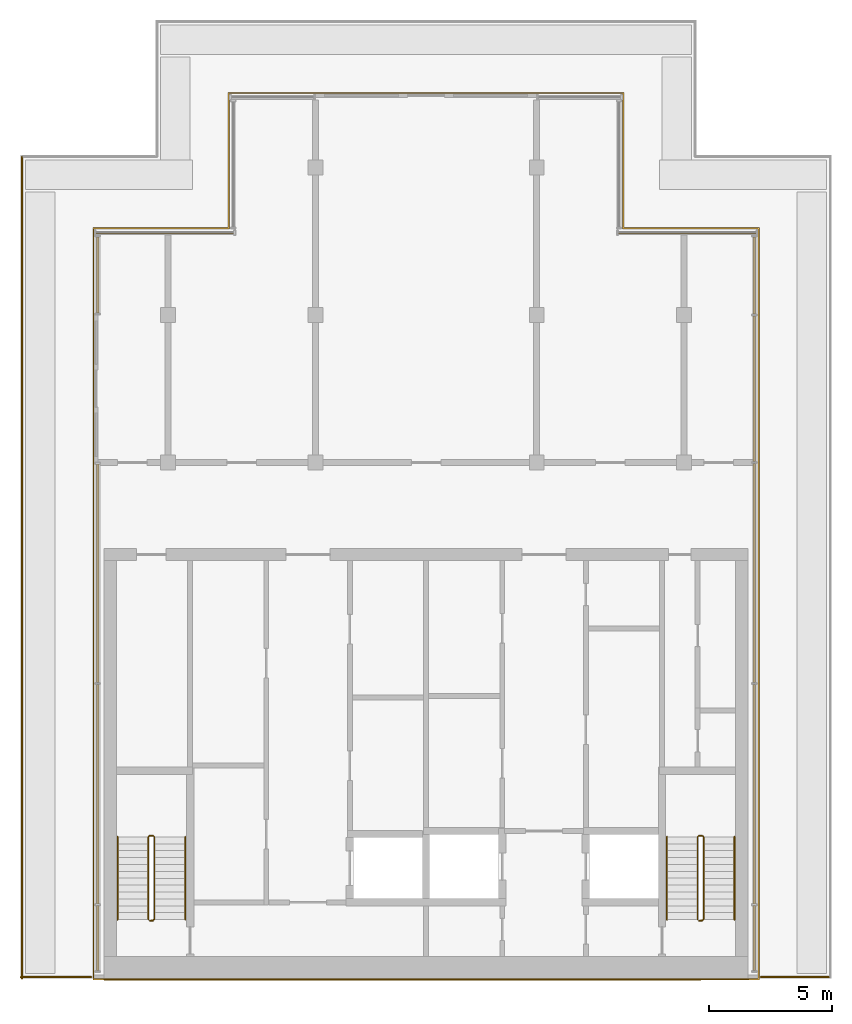
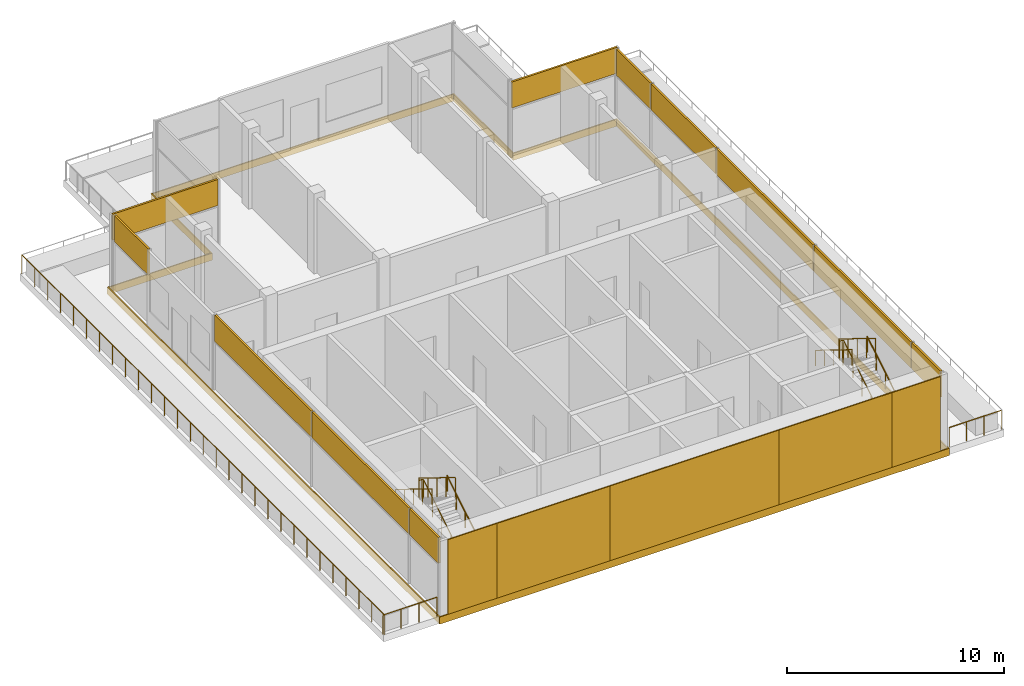
# One storey, part 5 of 6: 11 shading devices, 9 railings, 6 coverings, 5 elements without a shape of their own.
"""IFC4 building model written with IfcOpenShell, lengths in metres."""

import ifcopenshell
import ifcopenshell.guid

model = None  # the IFC model being written
_history = None  # IfcOwnerHistory: only IFC2X3 demands one
_inside = {}  # id of a spatial element -> (the spatial element, [elements in it])
_under = {}  # id of a project, library or spatial element -> (it, [spatial elements below it])
_declared = {}  # id of a project -> (the project, [libraries it declares])
_typed = {}  # id of a type object -> (the type object, [elements of that type])
_made_of = {}  # id of a material, layer set ... -> (it, [elements and type objects made of it])


def new_model(schema):
    """Start an empty IFC model of exactly this schema.

    Asked for "IFC4X3", IfcOpenShell would pick the latest addendum, in which some entities
    have other attributes; the version numbers below select the first issue.
    IFC2X3 requires an IfcOwnerHistory on every rooted entity: one is made here for all.
    """
    global model, _history
    if schema == "IFC4X3":
        model = ifcopenshell.file(schema_version=(4, 3, 0, 0))
    else:
        model = ifcopenshell.file(schema=schema)
    _inside.clear()
    _under.clear()
    _declared.clear()
    _typed.clear()
    _made_of.clear()
    _history = None
    if model.schema == "IFC2X3":
        org = make("IfcOrganization", Name="unknown")
        user = make(
            "IfcPersonAndOrganization",
            ThePerson=make("IfcPerson", FamilyName="unknown"),
            TheOrganization=org,
        )
        app = make(
            "IfcApplication",
            ApplicationDeveloper=org,
            Version="unknown",
            ApplicationFullName="unknown",
            ApplicationIdentifier="unknown",
        )
        _history = make(
            "IfcOwnerHistory",
            OwningUser=user,
            OwningApplication=app,
            ChangeAction="ADDED",
            CreationDate=0,
        )
    return model


def make(cls, **values):
    """One entity of the class cls with the attributes given. An attribute that is None is left unset."""
    return model.create_entity(
        cls, **{name: value for name, value in values.items() if value is not None}
    )


def rooted(cls, **values):
    """An entity with a GlobalId (a new one), such as an element, a storey or a relation."""
    return make(cls, GlobalId=ifcopenshell.guid.new(), OwnerHistory=_history, **values)


def si_unit(unit_type, name, prefix=None):
    """IfcSIUnit, for example si_unit("LENGTHUNIT", "METRE", prefix="MILLI")."""
    return make("IfcSIUnit", UnitType=unit_type, Prefix=prefix, Name=name)


def assignment(units):
    """IfcUnitAssignment: the units of a project."""
    return None if units is None else make("IfcUnitAssignment", Units=units)


def point(xyz):
    """IfcCartesianPoint."""
    return None if xyz is None else make("IfcCartesianPoint", Coordinates=xyz)


def direction(xyz):
    """IfcDirection."""
    return None if xyz is None else make("IfcDirection", DirectionRatios=xyz)


def frame(location, z_axis=None, x_axis=None):
    """IfcAxis2Placement3D, a coordinate frame: its origin and axes. An axis left out is left unset."""
    return make(
        "IfcAxis2Placement3D",
        Location=point(location),
        Axis=direction(z_axis),
        RefDirection=direction(x_axis),
    )


def frame_2d(location, x_axis=None):
    """IfcAxis2Placement2D, a coordinate frame in the plane: its origin and x axis."""
    return make(
        "IfcAxis2Placement2D", Location=point(location), RefDirection=direction(x_axis)
    )


def origin():
    """The frame at (0, 0, 0) with its axes left unset."""
    return frame((0.0, 0.0, 0.0))


def origin_2d():
    """The frame at (0, 0) in the plane with its x axis left unset."""
    return frame_2d((0.0, 0.0))


def place(relative_to, where):
    """IfcLocalPlacement: puts the frame where relative to a parent placement (None: the world)."""
    return make(
        "IfcLocalPlacement", PlacementRelTo=relative_to, RelativePlacement=where
    )


def context(
    kind, dimensions, precision=None, world=None, true_north=None, identifier=None
):
    """IfcGeometricRepresentationContext, for example the 3D "Model" context."""
    return make(
        "IfcGeometricRepresentationContext",
        ContextIdentifier=identifier,
        ContextType=kind,
        CoordinateSpaceDimension=dimensions,
        Precision=precision,
        WorldCoordinateSystem=world,
        TrueNorth=true_north,
    )


def subcontext(parent, identifier, kind, view, scale=None):
    """IfcGeometricRepresentationSubContext, for example "Body" below "Model"."""
    return make(
        "IfcGeometricRepresentationSubContext",
        ContextIdentifier=identifier,
        ContextType=kind,
        ParentContext=parent,
        TargetScale=scale,
        TargetView=view,
    )


def project(units=None, contexts=None):
    """IfcProject with its units and contexts."""
    return rooted(
        "IfcProject",
        Name="project",
        RepresentationContexts=contexts,
        UnitsInContext=assignment(units),
    )


def spatial(cls, under=None, at=None, **own):
    """A site, building, storey or space (cls), placed at a placement, below another one or the project."""
    s = rooted(cls, ObjectPlacement=at, **own)
    if under is not None:
        _under.setdefault(under.id(), (under, []))[1].append(s)
    return s


def polyline(points):
    """IfcPolyline through the points."""
    return make("IfcPolyline", Points=[point(p) for p in points])


def profile(cls, at=None, kind="AREA", **sizes):
    """A parametric profile (cls). Its sizes go by their IFC names, for example OverallWidth=200.0."""
    return make(cls, ProfileType=kind, Position=at, **sizes)


def rectangle(**sizes):
    """IfcRectangleProfileDef."""
    return profile("IfcRectangleProfileDef", **sizes)


def circle(**sizes):
    """IfcCircleProfileDef."""
    return profile("IfcCircleProfileDef", **sizes)


def outline(outer, holes=None, kind="AREA"):
    """IfcArbitraryClosedProfileDef: a profile drawn as a closed curve; with holes, ...WithVoids."""
    if holes is None:
        return make("IfcArbitraryClosedProfileDef", ProfileType=kind, OuterCurve=outer)
    return make(
        "IfcArbitraryProfileDefWithVoids",
        ProfileType=kind,
        OuterCurve=outer,
        InnerCurves=holes,
    )


def extrude(swept, where, along, depth):
    """IfcExtrudedAreaSolid: the profile swept, set in the frame where, extruded along a direction by depth."""
    return make(
        "IfcExtrudedAreaSolid",
        SweptArea=swept,
        Position=where,
        ExtrudedDirection=direction(along),
        Depth=depth,
    )


def shape(context_of_items, identifier, shape_type, items):
    """IfcShapeRepresentation: the items that make up one representation, for example the "Body"."""
    return make(
        "IfcShapeRepresentation",
        ContextOfItems=context_of_items,
        RepresentationIdentifier=identifier,
        RepresentationType=shape_type,
        Items=items,
    )


def material(Name=None, Category=None):
    """IfcMaterial."""
    return make("IfcMaterial", Name=Name, Category=Category)


def layer(
    of_material, thickness, ventilated=None, Name=None, Category=None, Priority=None
):
    """IfcMaterialLayer: one layer of a wall or slab, of a material (None: an air gap)."""
    return make(
        "IfcMaterialLayer",
        Material=of_material,
        LayerThickness=thickness,
        IsVentilated=ventilated,
        Name=Name,
        Category=Category,
        Priority=Priority,
    )


def layer_set(layers, Name=None):
    """IfcMaterialLayerSet."""
    return make("IfcMaterialLayerSet", MaterialLayers=layers, LayerSetName=Name)


def made_of(thing, what):
    """Note that an element or type object is made of a material, layer set ...; save() writes the relation."""
    if what is not None:
        _made_of.setdefault(what.id(), (what, []))[1].append(thing)
    return thing


def type_object(cls, material=None, **own):
    """A type object (cls), such as IfcWallType, which elements share."""
    return made_of(rooted(cls, **own), material)


def element(
    cls,
    number,
    at=None,
    inside=None,
    cuts=None,
    type_object=None,
    material=None,
    context=None,
    identifier="Body",
    shape_type=None,
    held_by="IfcProductDefinitionShape",
    body=None,
    shapes=None,
    **own,
):
    """One element of the class cls, such as IfcWall. Its Tag is "e" and its number.

    at: its placement. inside: the storey or other place that contains it. cuts: it is an
    opening in that element (IfcRelVoidsElement). A single representation is given by context,
    identifier, shape_type and body (its items); several are given by shapes. held_by: the class
    of the entity that holds the representations. save() writes the other relations.
    """
    e = rooted(cls, Tag="e%d" % number, ObjectPlacement=at, **own)
    if body is not None:
        shapes = [shape(context, identifier, shape_type, body)]
    if shapes is not None:
        e.Representation = make(held_by, Representations=shapes)
    if inside is not None:
        _inside.setdefault(inside.id(), (inside, []))[1].append(e)
    if cuts is not None:
        rooted(
            "IfcRelVoidsElement", RelatingBuildingElement=cuts, RelatedOpeningElement=e
        )
    if type_object is not None:
        _typed.setdefault(type_object.id(), (type_object, []))[1].append(e)
    return made_of(e, material)


def aggregate(whole, parts):
    """IfcRelAggregates: a whole, such as a stair, and the parts it consists of."""
    return rooted("IfcRelAggregates", RelatingObject=whole, RelatedObjects=parts)


def save(model, path):
    """Write the relations noted so far, then the file.

    IfcRelAggregates (storeys below a building ...), IfcRelContainedInSpatialStructure (elements
    in a storey), IfcRelDefinesByType, IfcRelAssociatesMaterial and IfcRelDeclares: one each for
    every whole, place, type object, material and project.
    """
    for whole, parts in _under.values():
        aggregate(whole, parts)
    for where, things in _inside.values():
        rooted(
            "IfcRelContainedInSpatialStructure",
            RelatedElements=things,
            RelatingStructure=where,
        )
    for kind, things in _typed.values():
        rooted("IfcRelDefinesByType", RelatedObjects=things, RelatingType=kind)
    for what, things in _made_of.values():
        rooted("IfcRelAssociatesMaterial", RelatedObjects=things, RelatingMaterial=what)
    for by, libraries in _declared.values():
        rooted("IfcRelDeclares", RelatingContext=by, RelatedDefinitions=libraries)
    model.write(path)


model = new_model("IFC4")

# Units and contexts
model_context = context("Model", 3, precision=1e-05, world=origin(), true_north=direction((0.0, 1.0)))
body_context = subcontext(model_context, "Body", "Model", "MODEL_VIEW")
ifc_project = project(units=[si_unit("LENGTHUNIT", "METRE"), si_unit("AREAUNIT", "SQUARE_METRE"), si_unit("VOLUMEUNIT", "CUBIC_METRE"), si_unit("PLANEANGLEUNIT", "RADIAN"), si_unit("MASSUNIT", "GRAM", prefix="KILO")], contexts=[model_context])

# Site, building, storey
site_placement = place(None, origin())
site = spatial("IfcSite", under=ifc_project, at=site_placement, CompositionType="ELEMENT")
building_placement = place(site_placement, origin())
building = spatial("IfcBuilding", under=site, at=building_placement, Name="Finial Court Residences", CompositionType="ELEMENT")
storey_placement = place(building_placement, frame((0.0, 0.0, 312.199951171875)))
storey = spatial("IfcBuildingStorey", under=building, at=storey_placement, Name="L79", CompositionType="ELEMENT", Elevation=312.199951171875)

# Curtain wall, shading devices
ifc_material_1 = material(Name="Bronze anodised aluminium", Category="aluminium")
curtain_wall_type = type_object("IfcCurtainWallType", Name="Crown lantern glazing", PredefinedType="NOTDEFINED", material=ifc_material_1)
curtain_wall_1_placement = place(storey_placement, origin())
curtain_wall_1 = element("IfcCurtainWall", 1, at=curtain_wall_1_placement, inside=storey, type_object=curtain_wall_type, Name="E-L79-CW-E5", PredefinedType="NOTDEFINED")
ifc_layer_1 = layer(ifc_material_1, 0.10009765625)
ifc_layer_set_1 = layer_set([ifc_layer_1], Name="CW6 louvre panel 100")
shading_device_type = type_object("IfcShadingDeviceType", Name="CW6 louvre panel 100", PredefinedType="USERDEFINED", material=ifc_layer_set_1)
shading_device_1_placement = place(storey_placement, frame((13.35009765625, -23.857421875, 2.73486328125), z_axis=(0.0, 0.0, 1.0), x_axis=(0.0, 1.0, 0.0)))
shading_device_1 = element("IfcShadingDevice", 2, at=shading_device_1_placement, type_object=shading_device_type, Name="CW6 louvre 1.2", ObjectType="LOUVRE", PredefinedType="USERDEFINED", context=body_context, shape_type="SweptSolid", body=[
    extrude(rectangle(XDim=2.64501953125, YDim=0.10009765625, at=origin_2d()), origin(), (0.0, 0.0, 1.0), 1.465087890625),
])
shading_device_2_placement = place(storey_placement, frame((13.35009765625, -18.0, 2.73486328125), z_axis=(0.0, 0.0, 1.0), x_axis=(0.0, 1.0, 0.0)))
shading_device_2 = element("IfcShadingDevice", 3, at=shading_device_2_placement, type_object=shading_device_type, Name="CW6 louvre 2.2", ObjectType="LOUVRE", PredefinedType="USERDEFINED", context=body_context, shape_type="SweptSolid", body=[
    extrude(rectangle(XDim=8.929931640625, YDim=0.10009765625, at=origin_2d()), origin(), (0.0, 0.0, 1.0), 1.465087890625),
])
shading_device_3_placement = place(storey_placement, frame((13.35009765625, -9.0, 2.73486328125), z_axis=(0.0, 0.0, 1.0), x_axis=(0.0, 1.0, 0.0)))
shading_device_3 = element("IfcShadingDevice", 4, at=shading_device_3_placement, type_object=shading_device_type, Name="CW6 louvre 3.2", ObjectType="LOUVRE", PredefinedType="USERDEFINED", context=body_context, shape_type="SweptSolid", body=[
    extrude(rectangle(XDim=8.929931640625, YDim=0.10009765625, at=origin_2d()), origin(), (0.0, 0.0, 1.0), 1.465087890625),
])
shading_device_4_placement = place(storey_placement, frame((13.35009765625, -1.5, 2.73486328125), z_axis=(0.0, 0.0, 1.0), x_axis=(0.0, 1.0, 0.0)))
shading_device_4 = element("IfcShadingDevice", 5, at=shading_device_4_placement, type_object=shading_device_type, Name="CW6 louvre 4.2", ObjectType="LOUVRE", PredefinedType="USERDEFINED", context=body_context, shape_type="SweptSolid", body=[
    extrude(rectangle(XDim=5.929931640625, YDim=0.10009765625, at=origin_2d()), origin(), (0.0, 0.0, 1.0), 1.465087890625),
])
shading_device_5_placement = place(storey_placement, frame((13.35009765625, 3.107421875, 2.73486328125), z_axis=(0.0, 0.0, 1.0), x_axis=(0.0, 1.0, 0.0)))
shading_device_5 = element("IfcShadingDevice", 6, at=shading_device_5_placement, type_object=shading_device_type, Name="CW6 louvre 5.2", ObjectType="LOUVRE", PredefinedType="USERDEFINED", context=body_context, shape_type="SweptSolid", body=[
    extrude(rectangle(XDim=3.14501953125, YDim=0.10009765625, at=origin_2d()), origin(), (0.0, 0.0, 1.0), 1.465087890625),
])
aggregate(curtain_wall_1, [shading_device_1, shading_device_2, shading_device_3, shading_device_4, shading_device_5])

curtain_wall_2_placement = place(storey_placement, origin())
curtain_wall_2 = element("IfcCurtainWall", 7, at=curtain_wall_2_placement, inside=storey, type_object=curtain_wall_type, Name="E-L79-CW-W6", PredefinedType="NOTDEFINED")
shading_device_6_placement = place(storey_placement, frame((-13.35009765625, -23.857421875, 2.73486328125), z_axis=(0.0, 0.0, 1.0), x_axis=(0.0, 1.0, 0.0)))
shading_device_6 = element("IfcShadingDevice", 8, at=shading_device_6_placement, type_object=shading_device_type, Name="CW6 louvre 1.2", ObjectType="LOUVRE", PredefinedType="USERDEFINED", context=body_context, shape_type="SweptSolid", body=[
    extrude(rectangle(XDim=2.64501953125, YDim=0.10009765625, at=origin_2d()), origin(), (0.0, 0.0, 1.0), 1.465087890625),
])
shading_device_7_placement = place(storey_placement, frame((-13.35009765625, -18.0, 2.73486328125), z_axis=(0.0, 0.0, 1.0), x_axis=(0.0, 1.0, 0.0)))
shading_device_7 = element("IfcShadingDevice", 9, at=shading_device_7_placement, type_object=shading_device_type, Name="CW6 louvre 2.2", ObjectType="LOUVRE", PredefinedType="USERDEFINED", context=body_context, shape_type="SweptSolid", body=[
    extrude(rectangle(XDim=8.929931640625, YDim=0.10009765625, at=origin_2d()), origin(), (0.0, 0.0, 1.0), 1.465087890625),
])
shading_device_8_placement = place(storey_placement, frame((-13.35009765625, -9.017578125, 2.73486328125), z_axis=(0.0, 0.0, 1.0), x_axis=(0.0, 1.0, 0.0)))
shading_device_8 = element("IfcShadingDevice", 10, at=shading_device_8_placement, type_object=shading_device_type, Name="CW6 louvre 3.2", ObjectType="LOUVRE", PredefinedType="USERDEFINED", context=body_context, shape_type="SweptSolid", body=[
    extrude(rectangle(XDim=8.89501953125, YDim=0.10009765625, at=origin_2d()), origin(), (0.0, 0.0, 1.0), 1.465087890625),
])
aggregate(curtain_wall_2, [shading_device_6, shading_device_7, shading_device_8])

# Curtain wall, shading device
curtain_wall_3_placement = place(storey_placement, origin())
curtain_wall_3 = element("IfcCurtainWall", 11, at=curtain_wall_3_placement, inside=storey, type_object=curtain_wall_type, Name="E-L79-CW-W7", PredefinedType="NOTDEFINED")
shading_device_9_placement = place(storey_placement, frame((-13.35009765625, 3.125, 2.73486328125), z_axis=(0.0, 0.0, 1.0), x_axis=(0.0, 1.0, 0.0)))
shading_device_9 = element("IfcShadingDevice", 12, at=shading_device_9_placement, type_object=shading_device_type, Name="CW6 louvre 1.2", ObjectType="LOUVRE", PredefinedType="USERDEFINED", context=body_context, shape_type="SweptSolid", body=[
    extrude(rectangle(XDim=3.110107421875, YDim=0.10009765625, at=origin_2d()), origin(), (0.0, 0.0, 1.0), 1.465087890625),
])
aggregate(curtain_wall_3, [shading_device_9])

curtain_wall_4_placement = place(storey_placement, origin())
curtain_wall_4 = element("IfcCurtainWall", 13, at=curtain_wall_4_placement, inside=storey, type_object=curtain_wall_type, Name="E-L79-CW-N9n", PredefinedType="NOTDEFINED")
shading_device_10_placement = place(storey_placement, frame((-10.625, 4.85009765625, 2.73486328125), z_axis=(0.0, 0.0, 1.0), x_axis=(1.0, 0.0, 0.0)))
shading_device_10 = element("IfcShadingDevice", 14, at=shading_device_10_placement, type_object=shading_device_type, Name="CW6 louvre 1.2", ObjectType="LOUVRE", PredefinedType="USERDEFINED", context=body_context, shape_type="SweptSolid", body=[
    extrude(rectangle(XDim=5.610107421875, YDim=0.10009765625, at=origin_2d()), origin(), (0.0, 0.0, 1.0), 1.465087890625),
])
aggregate(curtain_wall_4, [shading_device_10])

curtain_wall_5_placement = place(storey_placement, origin())
curtain_wall_5 = element("IfcCurtainWall", 15, at=curtain_wall_5_placement, inside=storey, type_object=curtain_wall_type, Name="E-L79-CW-N11n", PredefinedType="NOTDEFINED")
shading_device_11_placement = place(storey_placement, frame((10.625, 4.85009765625, 2.73486328125), z_axis=(0.0, 0.0, 1.0), x_axis=(1.0, 0.0, 0.0)))
shading_device_11 = element("IfcShadingDevice", 16, at=shading_device_11_placement, type_object=shading_device_type, Name="CW6 louvre 1.2", ObjectType="LOUVRE", PredefinedType="USERDEFINED", context=body_context, shape_type="SweptSolid", body=[
    extrude(rectangle(XDim=5.610107421875, YDim=0.10009765625, at=origin_2d()), origin(), (0.0, 0.0, 1.0), 1.465087890625),
])
aggregate(curtain_wall_5, [shading_device_11])

# Coverings
ifc_material_2 = material(Name="Natural limestone", Category="masonry")
ifc_layer_2 = layer(ifc_material_2, 0.06005859375)
ifc_layer_set_2 = layer_set([ifc_layer_2], Name="Limestone cladding to the blind core face 60")
covering_type_1 = type_object("IfcCoveringType", Name="Limestone cladding to the blind core face 60", PredefinedType="CLADDING", material=ifc_layer_set_2)
covering_1_placement = place(storey_placement, origin())
element("IfcCovering", 17, at=covering_1_placement, inside=storey, type_object=covering_type_1, Name="E-L79-CLAD1", PredefinedType="CLADDING", context=body_context, shape_type="SweptSolid", body=[
    extrude(outline(polyline([(-10.5, -25.56005859375), (-10.5, -25.5), (-13.10009765625, -25.5), (-13.10009765625, -25.56005859375), (-10.5, -25.56005859375)])), origin(), (0.0, 0.0, 1.0), 4.199951171875),
])
covering_2_placement = place(storey_placement, origin())
element("IfcCovering", 18, at=covering_2_placement, inside=storey, type_object=covering_type_1, Name="E-L79-CLAD2", PredefinedType="CLADDING", context=body_context, shape_type="SweptSolid", body=[
    extrude(outline(polyline([(-4.5, -25.56005859375), (-4.5, -25.5), (-10.5, -25.5), (-10.5, -25.56005859375), (-4.5, -25.56005859375)])), origin(), (0.0, 0.0, 1.0), 4.199951171875),
])
covering_3_placement = place(storey_placement, origin())
element("IfcCovering", 19, at=covering_3_placement, inside=storey, type_object=covering_type_1, Name="E-L79-CLAD3", PredefinedType="CLADDING", context=body_context, shape_type="SweptSolid", body=[
    extrude(outline(polyline([(4.5, -25.56005859375), (4.5, -25.5), (-4.5, -25.5), (-4.5, -25.56005859375), (4.5, -25.56005859375)])), origin(), (0.0, 0.0, 1.0), 4.199951171875),
])
covering_4_placement = place(storey_placement, origin())
element("IfcCovering", 20, at=covering_4_placement, inside=storey, type_object=covering_type_1, Name="E-L79-CLAD4", PredefinedType="CLADDING", context=body_context, shape_type="SweptSolid", body=[
    extrude(outline(polyline([(10.5, -25.56005859375), (10.5, -25.5), (4.5, -25.5), (4.5, -25.56005859375), (10.5, -25.56005859375)])), origin(), (0.0, 0.0, 1.0), 4.199951171875),
])
covering_5_placement = place(storey_placement, origin())
element("IfcCovering", 21, at=covering_5_placement, inside=storey, type_object=covering_type_1, Name="E-L79-CLAD5", PredefinedType="CLADDING", context=body_context, shape_type="SweptSolid", body=[
    extrude(outline(polyline([(13.10009765625, -25.56005859375), (13.10009765625, -25.5), (10.5, -25.5), (10.5, -25.56005859375), (13.10009765625, -25.56005859375)])), origin(), (0.0, 0.0, 1.0), 4.199951171875),
])
ifc_material_3 = material(Name="Pale limestone", Category="masonry")
ifc_layer_3 = layer(ifc_material_3, 0.06005859375)
ifc_layer_set_3 = layer_set([ifc_layer_3], Name="Pale limestone slab-edge band 60")
covering_type_2 = type_object("IfcCoveringType", Name="Pale limestone slab-edge band 60", PredefinedType="CLADDING", material=ifc_layer_set_3)
covering_6_placement = place(storey_placement, frame((0.0, 0.0, -0.39990234375)))
element("IfcCovering", 22, at=covering_6_placement, inside=storey, type_object=covering_type_2, Name="E-L79-BAND1", PredefinedType="CLADDING", context=body_context, shape_type="SweptSolid", body=[
    extrude(outline(polyline([(-13.56005859375, -25.56005859375), (-13.56005859375, 5.06005859375), (-8.06005859375, 5.06005859375), (-8.06005859375, 10.56005859375), (8.06005859375, 10.56005859375), (8.06005859375, 5.06005859375), (13.56005859375, 5.06005859375), (13.56005859375, -25.56005859375), (-13.56005859375, -25.56005859375)]), holes=[polyline([(13.5, 5.0), (8.0, 5.0), (8.0, 10.5), (-8.0, 10.5), (-8.0, 5.0), (-13.5, 5.0), (-13.5, -25.5), (13.5, -25.5), (13.5, 5.0)])]), origin(), (0.0, 0.0, 1.0), 0.39990234375),
])

# Railings
ifc_material_4 = material(Name="Stainless steel railing", Category="steel")
railing_type_1 = type_object("IfcRailingType", Name="Stair guard 1100", PredefinedType="GUARDRAIL", material=ifc_material_4)
railing_1_placement = place(storey_placement, frame((-11.10009765625, -23.14990234375, 0.0)))
element("IfcRailing", 23, at=railing_1_placement, inside=storey, type_object=railing_type_1, Name="L79 ST-1 stair guard 1", PredefinedType="GUARDRAIL", context=body_context, shape_type="SweptSolid", body=[
    extrude(circle(Radius=0.02392578125, at=origin_2d()), frame((0.0, 0.0, 1.076171875), z_axis=(-1.0, 0.0, 0.0), x_axis=(0.0, -1.0, 0.0)), (0.0, 0.0, 1.0), 0.14990234375),
    extrude(circle(Radius=0.02392578125, at=origin_2d()), frame((-0.14990234375, 0.0, 1.076171875), z_axis=(0.742994154839, 0.185068141132, 0.643202510111), x_axis=(-0.241699205484, 0.970351222016, 0.0)), (0.0, 0.0, 1.0), 0.26904296875),
    extrude(circle(Radius=0.02392578125, at=origin_2d()), frame((0.050048828125, 0.0498046875, 1.2490234375), z_axis=(0.0, 0.850623216509, 0.525775754039), x_axis=(-1.0, 0.0, 0.0)), (0.0, 0.0, 1.0), 3.9501953125),
    extrude(circle(Radius=0.02392578125, at=origin_2d()), frame((0.050048828125, 3.409912109375, 3.326171875), z_axis=(-0.707106781187, 0.707106781187, 0.0), x_axis=(-0.707106781187, -0.707106781187, 0.0)), (0.0, 0.0, 1.0), 0.07080078125),
    extrude(circle(Radius=0.02392578125, at=origin_2d()), frame((0.0, 3.4599609375, 3.326171875), z_axis=(-1.0, 0.0, 0.0), x_axis=(0.0, -1.0, 0.0)), (0.0, 0.0, 1.0), 0.14990234375),
    extrude(circle(Radius=0.02392578125, at=origin_2d()), frame((-0.14990234375, 3.4599609375, 3.326171875), z_axis=(-0.267629722418, -0.267629722418, 0.925607186314), x_axis=(0.707106781187, -0.707106781187, 0.0)), (0.0, 0.0, 1.0), 0.18701171875),
    extrude(circle(Radius=0.02392578125, at=origin_2d()), frame((-0.199951171875, 3.409912109375, 3.4990234375), z_axis=(0.0, -0.850623216509, 0.525775754039), x_axis=(1.0, 0.0, 0.0)), (0.0, 0.0, 1.0), 3.9501953125),
    extrude(circle(Radius=0.02099609375, at=origin_2d()), origin(), (0.0, 0.0, 1.0), 1.052001953125),
    extrude(circle(Radius=0.02099609375, at=origin_2d()), frame((-0.14990234375, 0.0, 0.0)), (0.0, 0.0, 1.0), 1.052001953125),
    extrude(circle(Radius=0.02099609375, at=origin_2d()), frame((0.050048828125, 0.0498046875, 0.173095703125)), (0.0, 0.0, 1.0), 1.052001953125),
    extrude(circle(Radius=0.02099609375, at=origin_2d()), frame((0.050048828125, 0.889892578125, 0.6923828125)), (0.0, 0.0, 1.0), 1.052001953125),
    extrude(circle(Radius=0.02099609375, at=origin_2d()), frame((0.050048828125, 1.72998046875, 1.21142578125)), (0.0, 0.0, 1.0), 1.052001953125),
    extrude(circle(Radius=0.02099609375, at=origin_2d()), frame((0.050048828125, 2.56982421875, 1.730712890625)), (0.0, 0.0, 1.0), 1.052001953125),
    extrude(circle(Radius=0.02099609375, at=origin_2d()), frame((0.050048828125, 3.409912109375, 2.25)), (0.0, 0.0, 1.0), 1.052001953125),
    extrude(circle(Radius=0.02099609375, at=origin_2d()), frame((0.0, 3.4599609375, 2.25)), (0.0, 0.0, 1.0), 1.052001953125),
    extrude(circle(Radius=0.02099609375, at=origin_2d()), frame((-0.14990234375, 3.4599609375, 2.25)), (0.0, 0.0, 1.0), 1.052001953125),
    extrude(circle(Radius=0.02099609375, at=origin_2d()), frame((-0.199951171875, 3.409912109375, 2.423095703125)), (0.0, 0.0, 1.0), 1.052001953125),
    extrude(circle(Radius=0.02099609375, at=origin_2d()), frame((-0.199951171875, 2.56982421875, 2.9423828125)), (0.0, 0.0, 1.0), 1.052001953125),
    extrude(circle(Radius=0.02099609375, at=origin_2d()), frame((-0.199951171875, 1.72998046875, 3.46142578125)), (0.0, 0.0, 1.0), 1.052001953125),
    extrude(circle(Radius=0.02099609375, at=origin_2d()), frame((-0.199951171875, 0.889892578125, 3.980712890625)), (0.0, 0.0, 1.0), 1.052001953125),
    extrude(circle(Radius=0.02099609375, at=origin_2d()), frame((-0.199951171875, 0.0498046875, 4.5)), (0.0, 0.0, 1.0), 1.052001953125),
])
railing_2_placement = place(storey_placement, frame((11.25, -23.14990234375, 0.0)))
element("IfcRailing", 24, at=railing_2_placement, inside=storey, type_object=railing_type_1, Name="L79 ST-2 stair guard 1", PredefinedType="GUARDRAIL", context=body_context, shape_type="SweptSolid", body=[
    extrude(circle(Radius=0.02392578125, at=origin_2d()), frame((0.0, 0.0, 1.076171875), z_axis=(-1.0, 0.0, 0.0), x_axis=(0.0, -1.0, 0.0)), (0.0, 0.0, 1.0), 0.14990234375),
    extrude(circle(Radius=0.02392578125, at=origin_2d()), frame((-0.14990234375, 0.0, 1.076171875), z_axis=(0.742994154839, 0.185068141132, 0.643202510111), x_axis=(-0.241699205484, 0.970351222016, 0.0)), (0.0, 0.0, 1.0), 0.26904296875),
    extrude(circle(Radius=0.02392578125, at=origin_2d()), frame((0.050048828125, 0.0498046875, 1.2490234375), z_axis=(0.0, 0.850623216509, 0.525775754039), x_axis=(-1.0, 0.0, 0.0)), (0.0, 0.0, 1.0), 3.9501953125),
    extrude(circle(Radius=0.02392578125, at=origin_2d()), frame((0.050048828125, 3.409912109375, 3.326171875), z_axis=(-0.707106781187, 0.707106781187, 0.0), x_axis=(-0.707106781187, -0.707106781187, 0.0)), (0.0, 0.0, 1.0), 0.07080078125),
    extrude(circle(Radius=0.02392578125, at=origin_2d()), frame((0.0, 3.4599609375, 3.326171875), z_axis=(-1.0, 0.0, 0.0), x_axis=(0.0, -1.0, 0.0)), (0.0, 0.0, 1.0), 0.14990234375),
    extrude(circle(Radius=0.02392578125, at=origin_2d()), frame((-0.14990234375, 3.4599609375, 3.326171875), z_axis=(-0.267629722418, -0.267629722418, 0.925607186314), x_axis=(0.707106781187, -0.707106781187, 0.0)), (0.0, 0.0, 1.0), 0.18701171875),
    extrude(circle(Radius=0.02392578125, at=origin_2d()), frame((-0.199951171875, 3.409912109375, 3.4990234375), z_axis=(0.0, -0.850623216509, 0.525775754039), x_axis=(1.0, 0.0, 0.0)), (0.0, 0.0, 1.0), 3.9501953125),
    extrude(circle(Radius=0.02099609375, at=origin_2d()), origin(), (0.0, 0.0, 1.0), 1.052001953125),
    extrude(circle(Radius=0.02099609375, at=origin_2d()), frame((-0.14990234375, 0.0, 0.0)), (0.0, 0.0, 1.0), 1.052001953125),
    extrude(circle(Radius=0.02099609375, at=origin_2d()), frame((0.050048828125, 0.0498046875, 0.173095703125)), (0.0, 0.0, 1.0), 1.052001953125),
    extrude(circle(Radius=0.02099609375, at=origin_2d()), frame((0.050048828125, 0.889892578125, 0.6923828125)), (0.0, 0.0, 1.0), 1.052001953125),
    extrude(circle(Radius=0.02099609375, at=origin_2d()), frame((0.050048828125, 1.72998046875, 1.21142578125)), (0.0, 0.0, 1.0), 1.052001953125),
    extrude(circle(Radius=0.02099609375, at=origin_2d()), frame((0.050048828125, 2.56982421875, 1.730712890625)), (0.0, 0.0, 1.0), 1.052001953125),
    extrude(circle(Radius=0.02099609375, at=origin_2d()), frame((0.050048828125, 3.409912109375, 2.25)), (0.0, 0.0, 1.0), 1.052001953125),
    extrude(circle(Radius=0.02099609375, at=origin_2d()), frame((0.0, 3.4599609375, 2.25)), (0.0, 0.0, 1.0), 1.052001953125),
    extrude(circle(Radius=0.02099609375, at=origin_2d()), frame((-0.14990234375, 3.4599609375, 2.25)), (0.0, 0.0, 1.0), 1.052001953125),
    extrude(circle(Radius=0.02099609375, at=origin_2d()), frame((-0.199951171875, 3.409912109375, 2.423095703125)), (0.0, 0.0, 1.0), 1.052001953125),
    extrude(circle(Radius=0.02099609375, at=origin_2d()), frame((-0.199951171875, 2.56982421875, 2.9423828125)), (0.0, 0.0, 1.0), 1.052001953125),
    extrude(circle(Radius=0.02099609375, at=origin_2d()), frame((-0.199951171875, 1.72998046875, 3.46142578125)), (0.0, 0.0, 1.0), 1.052001953125),
    extrude(circle(Radius=0.02099609375, at=origin_2d()), frame((-0.199951171875, 0.889892578125, 3.980712890625)), (0.0, 0.0, 1.0), 1.052001953125),
    extrude(circle(Radius=0.02099609375, at=origin_2d()), frame((-0.199951171875, 0.0498046875, 4.5)), (0.0, 0.0, 1.0), 1.052001953125),
])
railing_type_2 = type_object("IfcRailingType", Name="Stair handrail 900", PredefinedType="HANDRAIL", material=ifc_material_4)
railing_3_placement = place(storey_placement, frame((-9.800048828125, -23.10009765625, 0.173095703125)))
element("IfcRailing", 25, at=railing_3_placement, inside=storey, type_object=railing_type_2, Name="L79 ST-1 stair handrail 1", PredefinedType="HANDRAIL", context=body_context, shape_type="SweptSolid", body=[
    extrude(circle(Radius=0.02392578125, at=origin_2d()), frame((0.0, 0.0, 0.8759765625), z_axis=(0.0, 0.850623216509, 0.525775754039), x_axis=(-1.0, 0.0, 0.0)), (0.0, 0.0, 1.0), 3.9501953125),
    extrude(circle(Radius=0.02099609375, at=origin_2d()), origin(), (0.0, 0.0, 1.0), 0.851806640625),
    extrude(circle(Radius=0.02099609375, at=origin_2d()), frame((0.0, 0.840087890625, 0.519287109375)), (0.0, 0.0, 1.0), 0.851806640625),
    extrude(circle(Radius=0.02099609375, at=origin_2d()), frame((0.0, 1.68017578125, 1.03857421875)), (0.0, 0.0, 1.0), 0.851806640625),
    extrude(circle(Radius=0.02099609375, at=origin_2d()), frame((0.0, 2.52001953125, 1.5576171875)), (0.0, 0.0, 1.0), 0.851806640625),
    extrude(circle(Radius=0.02099609375, at=origin_2d()), frame((0.0, 3.360107421875, 2.076904296875)), (0.0, 0.0, 1.0), 0.851806640625),
])
railing_4_placement = place(storey_placement, frame((-12.550048828125, -19.739990234375, 2.423095703125)))
element("IfcRailing", 26, at=railing_4_placement, inside=storey, type_object=railing_type_2, Name="L79 ST-1 stair handrail 2", PredefinedType="HANDRAIL", context=body_context, shape_type="SweptSolid", body=[
    extrude(circle(Radius=0.02392578125, at=origin_2d()), frame((0.0, 0.0, 0.8759765625), z_axis=(0.0, -0.850623216509, 0.525775754039), x_axis=(1.0, 0.0, 0.0)), (0.0, 0.0, 1.0), 3.9501953125),
    extrude(circle(Radius=0.02099609375, at=origin_2d()), origin(), (0.0, 0.0, 1.0), 0.851806640625),
    extrude(circle(Radius=0.02099609375, at=origin_2d()), frame((0.0, -0.840087890625, 0.519287109375)), (0.0, 0.0, 1.0), 0.851806640625),
    extrude(circle(Radius=0.02099609375, at=origin_2d()), frame((0.0, -1.68017578125, 1.03857421875)), (0.0, 0.0, 1.0), 0.851806640625),
    extrude(circle(Radius=0.02099609375, at=origin_2d()), frame((0.0, -2.52001953125, 1.5576171875)), (0.0, 0.0, 1.0), 0.851806640625),
    extrude(circle(Radius=0.02099609375, at=origin_2d()), frame((0.0, -3.360107421875, 2.076904296875)), (0.0, 0.0, 1.0), 0.851806640625),
])
railing_5_placement = place(storey_placement, frame((12.550048828125, -23.10009765625, 0.173095703125)))
element("IfcRailing", 27, at=railing_5_placement, inside=storey, type_object=railing_type_2, Name="L79 ST-2 stair handrail 1", PredefinedType="HANDRAIL", context=body_context, shape_type="SweptSolid", body=[
    extrude(circle(Radius=0.02392578125, at=origin_2d()), frame((0.0, 0.0, 0.8759765625), z_axis=(0.0, 0.850623216509, 0.525775754039), x_axis=(-1.0, 0.0, 0.0)), (0.0, 0.0, 1.0), 3.9501953125),
    extrude(circle(Radius=0.02099609375, at=origin_2d()), origin(), (0.0, 0.0, 1.0), 0.851806640625),
    extrude(circle(Radius=0.02099609375, at=origin_2d()), frame((0.0, 0.840087890625, 0.519287109375)), (0.0, 0.0, 1.0), 0.851806640625),
    extrude(circle(Radius=0.02099609375, at=origin_2d()), frame((0.0, 1.68017578125, 1.03857421875)), (0.0, 0.0, 1.0), 0.851806640625),
    extrude(circle(Radius=0.02099609375, at=origin_2d()), frame((0.0, 2.52001953125, 1.5576171875)), (0.0, 0.0, 1.0), 0.851806640625),
    extrude(circle(Radius=0.02099609375, at=origin_2d()), frame((0.0, 3.360107421875, 2.076904296875)), (0.0, 0.0, 1.0), 0.851806640625),
])
railing_6_placement = place(storey_placement, frame((9.800048828125, -19.739990234375, 2.423095703125)))
element("IfcRailing", 28, at=railing_6_placement, inside=storey, type_object=railing_type_2, Name="L79 ST-2 stair handrail 2", PredefinedType="HANDRAIL", context=body_context, shape_type="SweptSolid", body=[
    extrude(circle(Radius=0.02392578125, at=origin_2d()), frame((0.0, 0.0, 0.8759765625), z_axis=(0.0, -0.850623216509, 0.525775754039), x_axis=(1.0, 0.0, 0.0)), (0.0, 0.0, 1.0), 3.9501953125),
    extrude(circle(Radius=0.02099609375, at=origin_2d()), origin(), (0.0, 0.0, 1.0), 0.851806640625),
    extrude(circle(Radius=0.02099609375, at=origin_2d()), frame((0.0, -0.840087890625, 0.519287109375)), (0.0, 0.0, 1.0), 0.851806640625),
    extrude(circle(Radius=0.02099609375, at=origin_2d()), frame((0.0, -1.68017578125, 1.03857421875)), (0.0, 0.0, 1.0), 0.851806640625),
    extrude(circle(Radius=0.02099609375, at=origin_2d()), frame((0.0, -2.52001953125, 1.5576171875)), (0.0, 0.0, 1.0), 0.851806640625),
    extrude(circle(Radius=0.02099609375, at=origin_2d()), frame((0.0, -3.360107421875, 2.076904296875)), (0.0, 0.0, 1.0), 0.851806640625),
])
railing_type_3 = type_object("IfcRailingType", Name="Terrace guard 1100", PredefinedType="GUARDRAIL", material=ifc_material_1)
railing_7_placement = place(storey_placement, frame((-16.43994140625, -25.5, 0.0)))
element("IfcRailing", 29, at=railing_7_placement, inside=storey, type_object=railing_type_3, Name="E-L79-TER1-R1-1", PredefinedType="GUARDRAIL", context=body_context, shape_type="SweptSolid", body=[
    extrude(circle(Radius=0.02392578125, at=origin_2d()), frame((0.0, 0.0, 1.076171875), z_axis=(0.0, 1.0, 0.0), x_axis=(-1.0, 0.0, 0.0)), (0.0, 0.0, 1.0), 33.43994140625),
    extrude(circle(Radius=0.02099609375, at=origin_2d()), origin(), (0.0, 0.0, 1.0), 1.052001953125),
    extrude(circle(Radius=0.02099609375, at=origin_2d()), frame((0.0, 1.1943359375, 0.0)), (0.0, 0.0, 1.0), 1.052001953125),
    extrude(circle(Radius=0.02099609375, at=origin_2d()), frame((0.0, 2.388671875, 0.0)), (0.0, 0.0, 1.0), 1.052001953125),
    extrude(circle(Radius=0.02099609375, at=origin_2d()), frame((0.0, 3.582763671875, 0.0)), (0.0, 0.0, 1.0), 1.052001953125),
    extrude(circle(Radius=0.02099609375, at=origin_2d()), frame((0.0, 4.777099609375, 0.0)), (0.0, 0.0, 1.0), 1.052001953125),
    extrude(circle(Radius=0.02099609375, at=origin_2d()), frame((0.0, 5.971435546875, 0.0)), (0.0, 0.0, 1.0), 1.052001953125),
    extrude(circle(Radius=0.02099609375, at=origin_2d()), frame((0.0, 7.165771484375, 0.0)), (0.0, 0.0, 1.0), 1.052001953125),
    extrude(circle(Radius=0.02099609375, at=origin_2d()), frame((0.0, 8.35986328125, 0.0)), (0.0, 0.0, 1.0), 1.052001953125),
    extrude(circle(Radius=0.02099609375, at=origin_2d()), frame((0.0, 9.55419921875, 0.0)), (0.0, 0.0, 1.0), 1.052001953125),
    extrude(circle(Radius=0.02099609375, at=origin_2d()), frame((0.0, 10.74853515625, 0.0)), (0.0, 0.0, 1.0), 1.052001953125),
    extrude(circle(Radius=0.02099609375, at=origin_2d()), frame((0.0, 11.94287109375, 0.0)), (0.0, 0.0, 1.0), 1.052001953125),
    extrude(circle(Radius=0.02099609375, at=origin_2d()), frame((0.0, 13.13720703125, 0.0)), (0.0, 0.0, 1.0), 1.052001953125),
    extrude(circle(Radius=0.02099609375, at=origin_2d()), frame((0.0, 14.331298828125, 0.0)), (0.0, 0.0, 1.0), 1.052001953125),
    extrude(circle(Radius=0.02099609375, at=origin_2d()), frame((0.0, 15.525634765625, 0.0)), (0.0, 0.0, 1.0), 1.052001953125),
    extrude(circle(Radius=0.02099609375, at=origin_2d()), frame((0.0, 16.719970703125, 0.0)), (0.0, 0.0, 1.0), 1.052001953125),
    extrude(circle(Radius=0.02099609375, at=origin_2d()), frame((0.0, 17.914306640625, 0.0)), (0.0, 0.0, 1.0), 1.052001953125),
    extrude(circle(Radius=0.02099609375, at=origin_2d()), frame((0.0, 19.108642578125, 0.0)), (0.0, 0.0, 1.0), 1.052001953125),
    extrude(circle(Radius=0.02099609375, at=origin_2d()), frame((0.0, 20.302734375, 0.0)), (0.0, 0.0, 1.0), 1.052001953125),
    extrude(circle(Radius=0.02099609375, at=origin_2d()), frame((0.0, 21.4970703125, 0.0)), (0.0, 0.0, 1.0), 1.052001953125),
    extrude(circle(Radius=0.02099609375, at=origin_2d()), frame((0.0, 22.69140625, 0.0)), (0.0, 0.0, 1.0), 1.052001953125),
    extrude(circle(Radius=0.02099609375, at=origin_2d()), frame((0.0, 23.8857421875, 0.0)), (0.0, 0.0, 1.0), 1.052001953125),
    extrude(circle(Radius=0.02099609375, at=origin_2d()), frame((0.0, 25.080078125, 0.0)), (0.0, 0.0, 1.0), 1.052001953125),
    extrude(circle(Radius=0.02099609375, at=origin_2d()), frame((0.0, 26.274169921875, 0.0)), (0.0, 0.0, 1.0), 1.052001953125),
    extrude(circle(Radius=0.02099609375, at=origin_2d()), frame((0.0, 27.468505859375, 0.0)), (0.0, 0.0, 1.0), 1.052001953125),
    extrude(circle(Radius=0.02099609375, at=origin_2d()), frame((0.0, 28.662841796875, 0.0)), (0.0, 0.0, 1.0), 1.052001953125),
    extrude(circle(Radius=0.02099609375, at=origin_2d()), frame((0.0, 29.857177734375, 0.0)), (0.0, 0.0, 1.0), 1.052001953125),
    extrude(circle(Radius=0.02099609375, at=origin_2d()), frame((0.0, 31.05126953125, 0.0)), (0.0, 0.0, 1.0), 1.052001953125),
    extrude(circle(Radius=0.02099609375, at=origin_2d()), frame((0.0, 32.24560546875, 0.0)), (0.0, 0.0, 1.0), 1.052001953125),
    extrude(circle(Radius=0.02099609375, at=origin_2d()), frame((0.0, 33.43994140625, 0.0)), (0.0, 0.0, 1.0), 1.052001953125),
])
railing_8_placement = place(storey_placement, frame((16.389892578125, -25.43994140625, 0.0)))
element("IfcRailing", 30, at=railing_8_placement, inside=storey, type_object=railing_type_3, Name="E-L79-TER1-R1-8", PredefinedType="GUARDRAIL", context=body_context, shape_type="SweptSolid", body=[
    extrude(circle(Radius=0.02392578125, at=origin_2d()), frame((0.0, 0.0, 1.076171875), z_axis=(-1.0, 0.0, 0.0), x_axis=(0.0, -1.0, 0.0)), (0.0, 0.0, 1.0), 2.769775390625),
    extrude(circle(Radius=0.02099609375, at=origin_2d()), origin(), (0.0, 0.0, 1.0), 1.052001953125),
    extrude(circle(Radius=0.02099609375, at=origin_2d()), frame((-0.92333984375, 0.0, 0.0)), (0.0, 0.0, 1.0), 1.052001953125),
    extrude(circle(Radius=0.02099609375, at=origin_2d()), frame((-1.846435546875, 0.0, 0.0)), (0.0, 0.0, 1.0), 1.052001953125),
    extrude(circle(Radius=0.02099609375, at=origin_2d()), frame((-2.769775390625, 0.0, 0.0)), (0.0, 0.0, 1.0), 1.052001953125),
])
railing_9_placement = place(storey_placement, frame((-13.6201171875, -25.43994140625, 0.0)))
element("IfcRailing", 31, at=railing_9_placement, inside=storey, type_object=railing_type_3, Name="E-L79-TER1-R2", PredefinedType="GUARDRAIL", context=body_context, shape_type="SweptSolid", body=[
    extrude(circle(Radius=0.02392578125, at=origin_2d()), frame((0.0, 0.0, 1.076171875), z_axis=(-1.0, 0.0, 0.0), x_axis=(0.0, -1.0, 0.0)), (0.0, 0.0, 1.0), 2.8798828125),
    extrude(circle(Radius=0.02099609375, at=origin_2d()), origin(), (0.0, 0.0, 1.0), 1.052001953125),
    extrude(circle(Radius=0.02099609375, at=origin_2d()), frame((-0.9599609375, 0.0, 0.0)), (0.0, 0.0, 1.0), 1.052001953125),
    extrude(circle(Radius=0.02099609375, at=origin_2d()), frame((-1.919921875, 0.0, 0.0)), (0.0, 0.0, 1.0), 1.052001953125),
    extrude(circle(Radius=0.02099609375, at=origin_2d()), frame((-2.8798828125, 0.0, 0.0)), (0.0, 0.0, 1.0), 1.052001953125),
])

save(model, "model.ifc")
